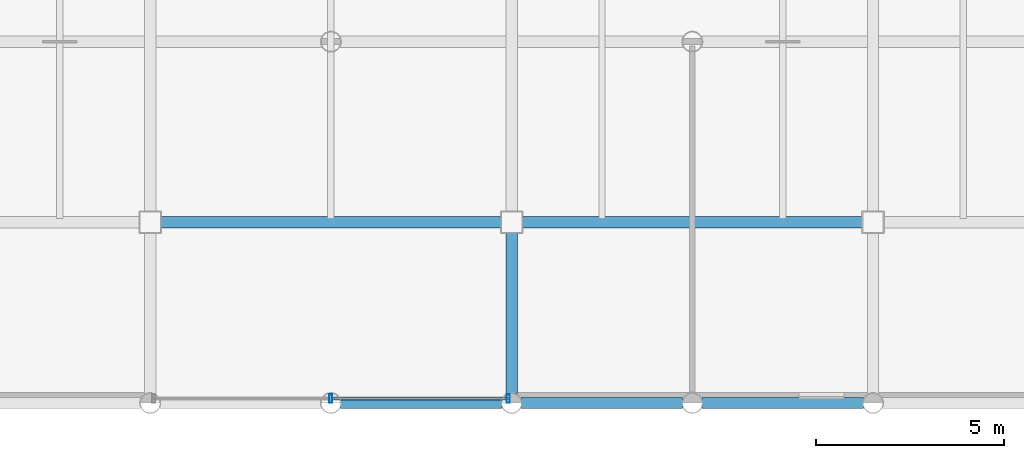
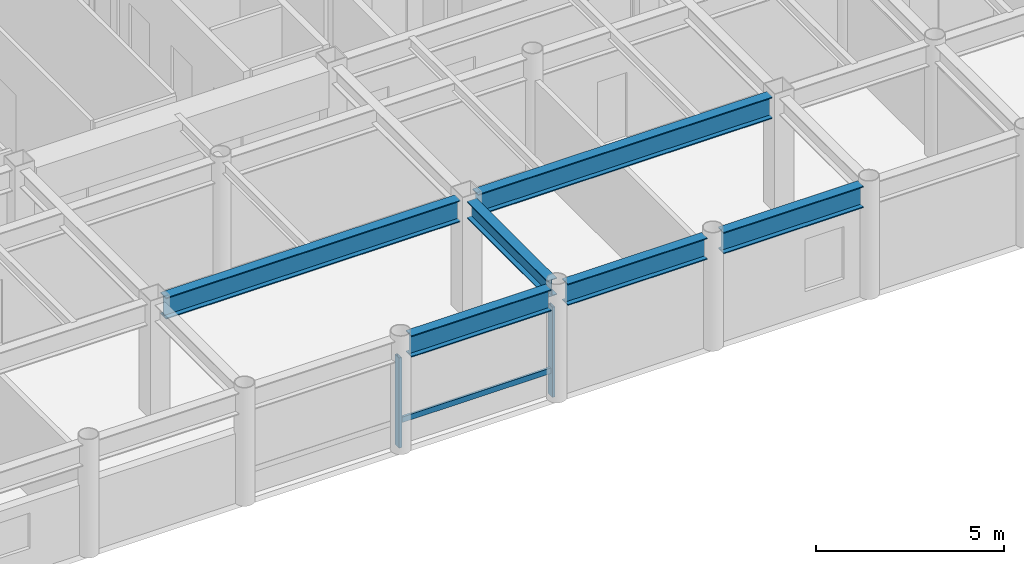
# One storey, part 8 of 22: 6 beams, 3 members, 1 element without a shape of its own.
"""IFC4 building model written with IfcOpenShell, lengths in metres."""

from ifc_helpers import new_model, si_unit, direction, frame, origin, origin_2d, place, context, subcontext, project, spatial, hollow_rectangle, i_section, extrude, material, layer, layer_set, material_profile, profile_set, type_object, element, aggregate, save


model = new_model("IFC4")

# Units and contexts
model_context = context("Model", 3, precision=1e-05, world=origin(), true_north=direction((0.0, 1.0)))
body_context = subcontext(model_context, "Body", "Model", "MODEL_VIEW")
ifc_project = project(units=[si_unit("LENGTHUNIT", "METRE"), si_unit("AREAUNIT", "SQUARE_METRE"), si_unit("VOLUMEUNIT", "CUBIC_METRE"), si_unit("PLANEANGLEUNIT", "RADIAN"), si_unit("MASSUNIT", "GRAM", prefix="KILO")], contexts=[model_context])

# Site, building, storey
site_placement = place(None, origin())
site = spatial("IfcSite", under=ifc_project, at=site_placement, CompositionType="ELEMENT")
building_placement = place(site_placement, origin())
building = spatial("IfcBuilding", under=site, at=building_placement, Name="Kallvorn Hotel Tower", CompositionType="ELEMENT")
storey_placement = place(building_placement, frame((0.0, 0.0, 260.800048828125)))
storey = spatial("IfcBuildingStorey", under=building, at=storey_placement, Name="L65", CompositionType="ELEMENT", Elevation=260.800048828125)

# Beams
ifc_material_1 = material(Name="Structural steel S355JR", Category="steel")
ifc_material_profile_1 = material_profile(ifc_material_1, i_section(OverallWidth=0.300048828125, OverallDepth=0.550048828125, WebThickness=0.014892578125, FlangeThickness=0.029052734375, at=origin_2d()), Name="HE 550 B")
ifc_profile_set_1 = profile_set([ifc_material_profile_1], Name="Structural steel S355JR")
beam_type_1 = type_object("IfcBeamType", Name="BM_HE550B", PredefinedType="SPANDREL", material=ifc_profile_set_1)
beam_1_placement = place(storey_placement, frame((4.800048828125, -18.945556640625, 3.39501953125), z_axis=(0.0, 1.0, 0.0), x_axis=(-1.0, 0.0, 0.0)))
element("IfcBeam", 1, at=beam_1_placement, inside=storey, type_object=beam_type_1, Name="L66 Primary Y-Girder 114", PredefinedType="SPANDREL", context=body_context, shape_type="SweptSolid", body=[
    extrude(i_section(OverallWidth=0.300048828125, OverallDepth=0.550048828125, WebThickness=0.014892578125, FlangeThickness=0.029052734375, at=origin_2d()), origin(), (0.0, 0.0, 1.0), 4.2705078125),
])
ifc_material_2 = material(Name="Structural steel S355JR", Category="steel")
ifc_material_profile_2 = material_profile(ifc_material_2, i_section(OverallWidth=0.300048828125, OverallDepth=0.699951171875, WebThickness=0.01708984375, FlangeThickness=0.031982421875, at=origin_2d()), Name="HE 700 B")
ifc_profile_set_2 = profile_set([ifc_material_profile_2], Name="Structural steel S355JR")
beam_type_2 = type_object("IfcBeamType", Name="BM_HE700B", PredefinedType="BEAM", material=ifc_profile_set_2)
for number, where, z_axis, x_axis, name in (
    (2, (0.25439453125, -19.199951171875, 3.320068359375), (1.0, 0.0, 0.0), (0.0, 1.0, 0.0), "L66 Primary X-Girder 07"),
    (3, (5.054443359375, -19.199951171875, 3.320068359375), (1.0, 0.0, 0.0), (0.0, 1.0, 0.0), "L66 Primary X-Girder 08"),
    (4, (9.8544921875, -19.199951171875, 3.320068359375), (1.0, 0.0, 0.0), (0.0, 1.0, 0.0), "L66 Primary X-Girder 09"),
):
    element("IfcBeam", number, at=place(storey_placement, frame(where, z_axis=z_axis, x_axis=x_axis)), inside=storey, type_object=beam_type_2, Name=name, PredefinedType="BEAM", context=body_context, shape_type="SweptSolid", body=[
        extrude(i_section(OverallWidth=0.300048828125, OverallDepth=0.699951171875, WebThickness=0.01708984375, FlangeThickness=0.031982421875, at=origin_2d()), origin(), (0.0, 0.0, 1.0), 4.291015625),
    ])
beam_2_placement = place(storey_placement, frame((-4.52490234375, -14.39990234375, 3.320068359375), z_axis=(1.0, 0.0, 0.0), x_axis=(0.0, 1.0, 0.0)))
element("IfcBeam", 5, at=beam_2_placement, inside=storey, type_object=beam_type_2, Name="L66 Primary X-Girder 18", PredefinedType="BEAM", context=body_context, shape_type="SweptSolid", body=[
    extrude(i_section(OverallWidth=0.300048828125, OverallDepth=0.699951171875, WebThickness=0.01708984375, FlangeThickness=0.031982421875, at=origin_2d()), origin(), (0.0, 0.0, 1.0), 9.0498046875),
])
beam_3_placement = place(storey_placement, frame((5.074951171875, -14.39990234375, 3.320068359375), z_axis=(1.0, 0.0, 0.0), x_axis=(0.0, 1.0, 0.0)))
element("IfcBeam", 6, at=beam_3_placement, inside=storey, type_object=beam_type_2, Name="L66 Primary X-Girder 19", PredefinedType="BEAM", context=body_context, shape_type="SweptSolid", body=[
    extrude(i_section(OverallWidth=0.300048828125, OverallDepth=0.699951171875, WebThickness=0.01708984375, FlangeThickness=0.031982421875, at=origin_2d()), origin(), (0.0, 0.0, 1.0), 9.050048828125),
])

# Curtain wall, members
ifc_material_3 = material(Name="Thermally broken black-anodised aluminium AA 6063-T6", Category="aluminium")
ifc_layer = layer(ifc_material_3, 0.22998046875)
ifc_layer_set = layer_set([ifc_layer], Name="CW_SYS_5_HOTEL_HIGH")
curtain_wall_type = type_object("IfcCurtainWallType", Name="CW_SYS_5_HOTEL_HIGH", PredefinedType="USERDEFINED", material=ifc_layer_set)
curtain_wall_placement = place(storey_placement, origin())
curtain_wall = element("IfcCurtainWall", 7, at=curtain_wall_placement, inside=storey, type_object=curtain_wall_type, Name="L65 Dark-Glass Curtain Wall CW-L65-SC", ObjectType="UNITISED CURTAIN WALL", PredefinedType="USERDEFINED")
ifc_material_4 = material(Name="Thermally broken black-anodised aluminium AA 6063-T6", Category="aluminium")
ifc_material_profile_3 = material_profile(ifc_material_4, hollow_rectangle(XDim=0.080078125, YDim=0.219970703125, WallThickness=0.0048828125, at=origin_2d()), Name="MUL 220x80")
ifc_profile_set_3 = profile_set([ifc_material_profile_3], Name="Thermally broken black-anodised aluminium AA 6063-T6")
member_type_1 = type_object("IfcMemberType", Name="CW_MULLION_220x80", PredefinedType="MULLION", material=ifc_profile_set_3)
member_1_placement = place(storey_placement, frame((0.0, -19.080078125, 0.02001953125), z_axis=(0.0, 0.0, 1.0), x_axis=(1.0, 0.0, 0.0)))
member_1 = element("IfcMember", 8, at=member_1_placement, type_object=member_type_1, Name="CW-L65-SC Mullion 01", PredefinedType="MULLION", context=body_context, shape_type="SweptSolid", body=[
    extrude(hollow_rectangle(XDim=0.080078125, YDim=0.219970703125, WallThickness=0.0048828125, at=origin_2d()), origin(), (0.0, 0.0, 1.0), 2.929931640625),
])
member_2_placement = place(storey_placement, frame((4.7099609375, -19.080078125, 0.02001953125), z_axis=(0.0, 0.0, 1.0), x_axis=(1.0, 0.0, 0.0)))
member_2 = element("IfcMember", 9, at=member_2_placement, type_object=member_type_1, Name="CW-L65-SC Mullion 02", PredefinedType="MULLION", context=body_context, shape_type="SweptSolid", body=[
    extrude(hollow_rectangle(XDim=0.080078125, YDim=0.219970703125, WallThickness=0.0048828125, at=origin_2d()), origin(), (0.0, 0.0, 1.0), 2.929931640625),
])
ifc_material_5 = material(Name="Thermally broken black-anodised aluminium AA 6063-T6", Category="aluminium")
ifc_material_profile_4 = material_profile(ifc_material_5, hollow_rectangle(XDim=0.070068359375, YDim=0.179931640625, WallThickness=0.00390625, at=origin_2d()), Name="TRN 180x70")
ifc_profile_set_4 = profile_set([ifc_material_profile_4], Name="Thermally broken black-anodised aluminium AA 6063-T6")
member_type_2 = type_object("IfcMemberType", Name="CW_TRANSOM_180x70", PredefinedType="USERDEFINED", material=ifc_profile_set_4)
member_3_placement = place(storey_placement, frame((0.0400390625, -19.080078125, 0.849853515625), z_axis=(1.0, 0.0, 0.0), x_axis=(0.0, 1.0, 0.0)))
member_3 = element("IfcMember", 10, at=member_3_placement, type_object=member_type_2, Name="CW-L65-SC Transom 01M", ObjectType="TRANSOM", PredefinedType="USERDEFINED", context=body_context, shape_type="SweptSolid", body=[
    extrude(hollow_rectangle(XDim=0.070068359375, YDim=0.179931640625, WallThickness=0.00390625, at=origin_2d()), origin(), (0.0, 0.0, 1.0), 4.669921875),
])
aggregate(curtain_wall, [member_1, member_2, member_3])

save(model, "model.ifc")
